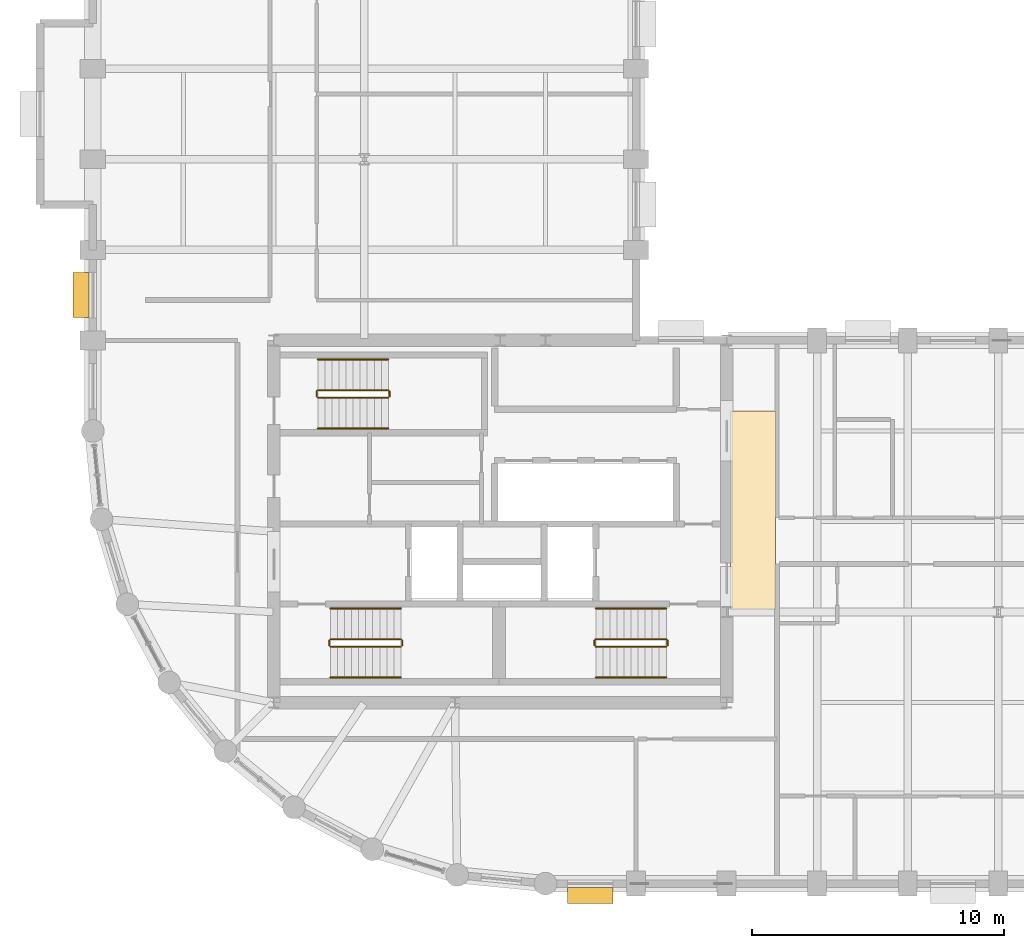
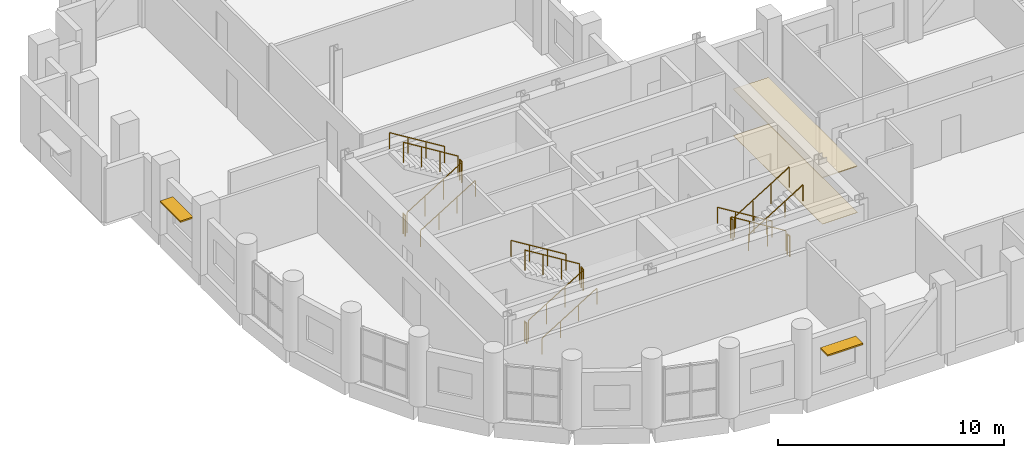
# One storey, part 13 of 14: 18 railings, 2 coverings, 2 shading devices.
"""IFC4 building model written with IfcOpenShell, lengths in metres."""

from ifc_helpers import new_model, si_unit, direction, frame, origin, origin_2d, place, context, subcontext, project, spatial, polyline, rectangle, circle, outline, extrude, material, layer, layer_set, type_object, element, save


model = new_model("IFC4")

# Units and contexts
model_context = context("Model", 3, precision=1e-05, world=origin(), true_north=direction((0.0, 1.0)))
body_context = subcontext(model_context, "Body", "Model", "MODEL_VIEW")
ifc_project = project(units=[si_unit("LENGTHUNIT", "METRE"), si_unit("AREAUNIT", "SQUARE_METRE"), si_unit("VOLUMEUNIT", "CUBIC_METRE"), si_unit("PLANEANGLEUNIT", "RADIAN"), si_unit("MASSUNIT", "GRAM", prefix="KILO")], contexts=[model_context])

# Site, building, storey
site_placement = place(None, origin())
site = spatial("IfcSite", under=ifc_project, at=site_placement, CompositionType="ELEMENT")
building_placement = place(site_placement, origin())
building = spatial("IfcBuilding", under=site, at=building_placement, Name="Solnavia Interchange Tower", CompositionType="ELEMENT")
storey_placement = place(building_placement, frame((0.0, 0.0, 158.0)))
storey = spatial("IfcBuildingStorey", under=building, at=storey_placement, Name="L39", CompositionType="ELEMENT", Elevation=158.0)

# Coverings
ifc_material_1 = material(Name="Perforated Mineral-Fibre & Gypsum Ceiling", Category="gypsum")
ifc_layer_1 = layer(ifc_material_1, 0.0400390625)
ifc_layer_set_1 = layer_set([ifc_layer_1], Name="Perforated Mineral-Fibre & Gypsum Ceiling")
covering_type_1 = type_object("IfcCoveringType", Name="Covering-Ceiling-Acoustic40", PredefinedType="CEILING", material=ifc_layer_set_1)
covering_1_placement = place(storey_placement, frame((0.0, 0.0, 2.5)))
element("IfcCovering", 1, at=covering_1_placement, inside=storey, type_object=covering_type_1, Name="CLG-L39-01 Circulation suspended acoustic ceiling", PredefinedType="CEILING", context=body_context, shape_type="SweptSolid", body=[
    extrude(outline(polyline([(32.550048828125, 14.5), (34.35009765625, 14.5), (34.35009765625, 22.39990234375), (32.550048828125, 22.39990234375), (32.550048828125, 14.5)])), origin(), (0.0, 0.0, 1.0), 0.0400390625),
])
ifc_material_2 = material(Name="Engineered European Oak Flooring", Category="wood")
ifc_layer_2 = layer(ifc_material_2, 0.02001953125)
ifc_layer_set_2 = layer_set([ifc_layer_2], Name="Engineered European Oak Flooring")
covering_type_2 = type_object("IfcCoveringType", Name="Covering-Flooring-Timber20", PredefinedType="FLOORING", material=ifc_layer_set_2)
covering_2_placement = place(storey_placement, origin())
element("IfcCovering", 2, at=covering_2_placement, inside=storey, type_object=covering_type_2, Name="FLR-L39-01 Circulation floor finish", PredefinedType="FLOORING", context=body_context, shape_type="SweptSolid", body=[
    extrude(outline(polyline([(32.550048828125, 14.5), (34.35009765625, 14.5), (34.35009765625, 22.39990234375), (32.550048828125, 22.39990234375), (32.550048828125, 14.5)])), origin(), (0.0, 0.0, 1.0), 0.02001953125),
])

# Railings
ifc_material_3 = material(Name="Painted Steel Balustrade", Category="steel")
railing_type_1 = type_object("IfcRailingType", Name="Railing-StairGuard-1100", PredefinedType="GUARDRAIL", material=ifc_material_3)
railing_1_placement = place(storey_placement, frame((16.64990234375, 13.02001953125, 0.172607421875)))
element("IfcRailing", 3, at=railing_1_placement, inside=storey, type_object=railing_type_1, Name="L39 ST-1 stair guard 1", PredefinedType="GUARDRAIL", context=body_context, shape_type="SweptSolid", body=[
    extrude(circle(Radius=0.02392578125, at=origin_2d()), frame((0.0, 0.0, 1.09619140625), z_axis=(0.851089632645, 0.0, 0.525020415988), x_axis=(0.0, 1.0, 0.0)), (0.0, 0.0, 1.0), 3.2900390625),
    extrude(circle(Radius=0.02099609375, at=origin_2d()), origin(), (0.0, 0.0, 1.0), 1.072021484375),
    extrude(circle(Radius=0.02099609375, at=origin_2d()), frame((0.933349609375, 0.0, 0.57568359375)), (0.0, 0.0, 1.0), 1.072021484375),
    extrude(circle(Radius=0.02099609375, at=origin_2d()), frame((1.86669921875, 0.0, 1.151611328125)), (0.0, 0.0, 1.0), 1.072021484375),
    extrude(circle(Radius=0.02099609375, at=origin_2d()), frame((2.800048828125, 0.0, 1.727294921875)), (0.0, 0.0, 1.0), 1.072021484375),
])
railing_2_placement = place(storey_placement, frame((19.5, 13.070068359375, 1.89990234375)))
element("IfcRailing", 4, at=railing_2_placement, inside=storey, type_object=railing_type_1, Name="L39 ST-1 stair guard 2", PredefinedType="GUARDRAIL", context=body_context, shape_type="SweptSolid", body=[
    extrude(circle(Radius=0.02392578125, at=origin_2d()), frame((0.0, 0.0, 1.09619140625), z_axis=(0.0, 1.0, 0.0), x_axis=(-1.0, 0.0, 0.0)), (0.0, 0.0, 1.0), 0.199951171875),
    extrude(circle(Radius=0.02099609375, at=origin_2d()), origin(), (0.0, 0.0, 1.0), 1.072021484375),
    extrude(circle(Radius=0.02099609375, at=origin_2d()), frame((0.0, 0.199951171875, 0.0)), (0.0, 0.0, 1.0), 1.072021484375),
])
railing_3_placement = place(storey_placement, frame((19.449951171875, 13.320068359375, 2.07275390625)))
element("IfcRailing", 5, at=railing_3_placement, inside=storey, type_object=railing_type_1, Name="L39 ST-1 stair guard 3", PredefinedType="GUARDRAIL", context=body_context, shape_type="SweptSolid", body=[
    extrude(circle(Radius=0.02392578125, at=origin_2d()), frame((0.0, 0.0, 1.09619140625), z_axis=(-0.851089632645, 0.0, 0.525020415988), x_axis=(0.0, -1.0, 0.0)), (0.0, 0.0, 1.0), 3.2900390625),
    extrude(circle(Radius=0.02099609375, at=origin_2d()), origin(), (0.0, 0.0, 1.0), 1.072021484375),
    extrude(circle(Radius=0.02099609375, at=origin_2d()), frame((-0.933349609375, 0.0, 0.57568359375)), (0.0, 0.0, 1.0), 1.072021484375),
    extrude(circle(Radius=0.02099609375, at=origin_2d()), frame((-1.86669921875, 0.0, 1.151611328125)), (0.0, 0.0, 1.0), 1.072021484375),
    extrude(circle(Radius=0.02099609375, at=origin_2d()), frame((-2.800048828125, 0.0, 1.727294921875)), (0.0, 0.0, 1.0), 1.072021484375),
])
railing_4_placement = place(storey_placement, frame((16.60009765625, 13.070068359375, 0.0)))
element("IfcRailing", 6, at=railing_4_placement, inside=storey, type_object=railing_type_1, Name="L39 ST-1 stair guard 4", PredefinedType="GUARDRAIL", context=body_context, shape_type="SweptSolid", body=[
    extrude(circle(Radius=0.02392578125, at=origin_2d()), frame((0.0, 0.0, 1.09619140625), z_axis=(0.0, 1.0, 0.0), x_axis=(-1.0, 0.0, 0.0)), (0.0, 0.0, 1.0), 0.199951171875),
    extrude(circle(Radius=0.02099609375, at=origin_2d()), origin(), (0.0, 0.0, 1.0), 1.072021484375),
    extrude(circle(Radius=0.02099609375, at=origin_2d()), frame((0.0, 0.199951171875, 0.0)), (0.0, 0.0, 1.0), 1.072021484375),
])
railing_5_placement = place(storey_placement, frame((30.0, 13.320068359375, 0.172607421875)))
element("IfcRailing", 7, at=railing_5_placement, inside=storey, type_object=railing_type_1, Name="L39 ST-2 stair guard 1", PredefinedType="GUARDRAIL", context=body_context, shape_type="SweptSolid", body=[
    extrude(circle(Radius=0.02392578125, at=origin_2d()), frame((0.0, 0.0, 1.09619140625), z_axis=(-0.851089632645, 0.0, 0.525020415988), x_axis=(0.0, -1.0, 0.0)), (0.0, 0.0, 1.0), 3.2900390625),
    extrude(circle(Radius=0.02099609375, at=origin_2d()), origin(), (0.0, 0.0, 1.0), 1.072021484375),
    extrude(circle(Radius=0.02099609375, at=origin_2d()), frame((-0.933349609375, 0.0, 0.57568359375)), (0.0, 0.0, 1.0), 1.072021484375),
    extrude(circle(Radius=0.02099609375, at=origin_2d()), frame((-1.86669921875, 0.0, 1.151611328125)), (0.0, 0.0, 1.0), 1.072021484375),
    extrude(circle(Radius=0.02099609375, at=origin_2d()), frame((-2.800048828125, 0.0, 1.727294921875)), (0.0, 0.0, 1.0), 1.072021484375),
])
railing_6_placement = place(storey_placement, frame((27.14990234375, 13.27001953125, 1.89990234375)))
element("IfcRailing", 8, at=railing_6_placement, inside=storey, type_object=railing_type_1, Name="L39 ST-2 stair guard 2", PredefinedType="GUARDRAIL", context=body_context, shape_type="SweptSolid", body=[
    extrude(circle(Radius=0.02392578125, at=origin_2d()), frame((0.0, 0.0, 1.09619140625), z_axis=(0.0, -1.0, 0.0), x_axis=(1.0, 0.0, 0.0)), (0.0, 0.0, 1.0), 0.199951171875),
    extrude(circle(Radius=0.02099609375, at=origin_2d()), origin(), (0.0, 0.0, 1.0), 1.072021484375),
    extrude(circle(Radius=0.02099609375, at=origin_2d()), frame((0.0, -0.199951171875, 0.0)), (0.0, 0.0, 1.0), 1.072021484375),
])
railing_7_placement = place(storey_placement, frame((27.199951171875, 13.02001953125, 2.07275390625)))
element("IfcRailing", 9, at=railing_7_placement, inside=storey, type_object=railing_type_1, Name="L39 ST-2 stair guard 3", PredefinedType="GUARDRAIL", context=body_context, shape_type="SweptSolid", body=[
    extrude(circle(Radius=0.02392578125, at=origin_2d()), frame((0.0, 0.0, 1.09619140625), z_axis=(0.851089632645, 0.0, 0.525020415988), x_axis=(0.0, 1.0, 0.0)), (0.0, 0.0, 1.0), 3.2900390625),
    extrude(circle(Radius=0.02099609375, at=origin_2d()), origin(), (0.0, 0.0, 1.0), 1.072021484375),
    extrude(circle(Radius=0.02099609375, at=origin_2d()), frame((0.933349609375, 0.0, 0.57568359375)), (0.0, 0.0, 1.0), 1.072021484375),
    extrude(circle(Radius=0.02099609375, at=origin_2d()), frame((1.86669921875, 0.0, 1.151611328125)), (0.0, 0.0, 1.0), 1.072021484375),
    extrude(circle(Radius=0.02099609375, at=origin_2d()), frame((2.800048828125, 0.0, 1.727294921875)), (0.0, 0.0, 1.0), 1.072021484375),
])
railing_8_placement = place(storey_placement, frame((30.050048828125, 13.27001953125, 0.0)))
element("IfcRailing", 10, at=railing_8_placement, inside=storey, type_object=railing_type_1, Name="L39 ST-2 stair guard 4", PredefinedType="GUARDRAIL", context=body_context, shape_type="SweptSolid", body=[
    extrude(circle(Radius=0.02392578125, at=origin_2d()), frame((0.0, 0.0, 1.09619140625), z_axis=(0.0, -1.0, 0.0), x_axis=(1.0, 0.0, 0.0)), (0.0, 0.0, 1.0), 0.199951171875),
    extrude(circle(Radius=0.02099609375, at=origin_2d()), origin(), (0.0, 0.0, 1.0), 1.072021484375),
    extrude(circle(Radius=0.02099609375, at=origin_2d()), frame((0.0, -0.199951171875, 0.0)), (0.0, 0.0, 1.0), 1.072021484375),
])
railing_9_placement = place(storey_placement, frame((16.14990234375, 22.919921875, 0.172607421875)))
element("IfcRailing", 11, at=railing_9_placement, inside=storey, type_object=railing_type_1, Name="L39 ST-3 stair guard 1", PredefinedType="GUARDRAIL", context=body_context, shape_type="SweptSolid", body=[
    extrude(circle(Radius=0.02392578125, at=origin_2d()), frame((0.0, 0.0, 1.09619140625), z_axis=(0.851089632645, 0.0, 0.525020415988), x_axis=(0.0, 1.0, 0.0)), (0.0, 0.0, 1.0), 3.2900390625),
    extrude(circle(Radius=0.02099609375, at=origin_2d()), origin(), (0.0, 0.0, 1.0), 1.072021484375),
    extrude(circle(Radius=0.02099609375, at=origin_2d()), frame((0.933349609375, 0.0, 0.57568359375)), (0.0, 0.0, 1.0), 1.072021484375),
    extrude(circle(Radius=0.02099609375, at=origin_2d()), frame((1.86669921875, 0.0, 1.151611328125)), (0.0, 0.0, 1.0), 1.072021484375),
    extrude(circle(Radius=0.02099609375, at=origin_2d()), frame((2.800048828125, 0.0, 1.727294921875)), (0.0, 0.0, 1.0), 1.072021484375),
])
railing_10_placement = place(storey_placement, frame((19.0, 22.969970703125, 1.89990234375)))
element("IfcRailing", 12, at=railing_10_placement, inside=storey, type_object=railing_type_1, Name="L39 ST-3 stair guard 2", PredefinedType="GUARDRAIL", context=body_context, shape_type="SweptSolid", body=[
    extrude(circle(Radius=0.02392578125, at=origin_2d()), frame((0.0, 0.0, 1.09619140625), z_axis=(0.0, 1.0, 0.0), x_axis=(-1.0, 0.0, 0.0)), (0.0, 0.0, 1.0), 0.199951171875),
    extrude(circle(Radius=0.02099609375, at=origin_2d()), origin(), (0.0, 0.0, 1.0), 1.072021484375),
    extrude(circle(Radius=0.02099609375, at=origin_2d()), frame((0.0, 0.199951171875, 0.0)), (0.0, 0.0, 1.0), 1.072021484375),
])
railing_11_placement = place(storey_placement, frame((18.949951171875, 23.219970703125, 2.07275390625)))
element("IfcRailing", 13, at=railing_11_placement, inside=storey, type_object=railing_type_1, Name="L39 ST-3 stair guard 3", PredefinedType="GUARDRAIL", context=body_context, shape_type="SweptSolid", body=[
    extrude(circle(Radius=0.02392578125, at=origin_2d()), frame((0.0, 0.0, 1.09619140625), z_axis=(-0.851089632645, 0.0, 0.525020415988), x_axis=(0.0, -1.0, 0.0)), (0.0, 0.0, 1.0), 3.2900390625),
    extrude(circle(Radius=0.02099609375, at=origin_2d()), origin(), (0.0, 0.0, 1.0), 1.072021484375),
    extrude(circle(Radius=0.02099609375, at=origin_2d()), frame((-0.933349609375, 0.0, 0.57568359375)), (0.0, 0.0, 1.0), 1.072021484375),
    extrude(circle(Radius=0.02099609375, at=origin_2d()), frame((-1.86669921875, 0.0, 1.151611328125)), (0.0, 0.0, 1.0), 1.072021484375),
    extrude(circle(Radius=0.02099609375, at=origin_2d()), frame((-2.800048828125, 0.0, 1.727294921875)), (0.0, 0.0, 1.0), 1.072021484375),
])
railing_12_placement = place(storey_placement, frame((16.10009765625, 22.969970703125, 0.0)))
element("IfcRailing", 14, at=railing_12_placement, inside=storey, type_object=railing_type_1, Name="L39 ST-3 stair guard 4", PredefinedType="GUARDRAIL", context=body_context, shape_type="SweptSolid", body=[
    extrude(circle(Radius=0.02392578125, at=origin_2d()), frame((0.0, 0.0, 1.09619140625), z_axis=(0.0, 1.0, 0.0), x_axis=(-1.0, 0.0, 0.0)), (0.0, 0.0, 1.0), 0.199951171875),
    extrude(circle(Radius=0.02099609375, at=origin_2d()), origin(), (0.0, 0.0, 1.0), 1.072021484375),
    extrude(circle(Radius=0.02099609375, at=origin_2d()), frame((0.0, 0.199951171875, 0.0)), (0.0, 0.0, 1.0), 1.072021484375),
])
ifc_material_4 = material(Name="Brushed Stainless Steel", Category="steel")
railing_type_2 = type_object("IfcRailingType", Name="Railing-StairHandrail-900", PredefinedType="HANDRAIL", material=ifc_material_4)
railing_13_placement = place(storey_placement, frame((16.64990234375, 11.800048828125, 0.172607421875)))
element("IfcRailing", 15, at=railing_13_placement, inside=storey, type_object=railing_type_2, Name="L39 ST-1 stair handrail 1", PredefinedType="HANDRAIL", context=body_context, shape_type="SweptSolid", body=[
    extrude(circle(Radius=0.02392578125, at=origin_2d()), frame((0.0, 0.0, 0.8759765625), z_axis=(0.851089632645, 0.0, 0.525020415988), x_axis=(0.0, 1.0, 0.0)), (0.0, 0.0, 1.0), 3.2900390625),
    extrude(circle(Radius=0.02099609375, at=origin_2d()), origin(), (0.0, 0.0, 1.0), 0.851806640625),
    extrude(circle(Radius=0.02099609375, at=origin_2d()), frame((0.933349609375, 0.0, 0.57568359375)), (0.0, 0.0, 1.0), 0.851806640625),
    extrude(circle(Radius=0.02099609375, at=origin_2d()), frame((1.86669921875, 0.0, 1.151611328125)), (0.0, 0.0, 1.0), 0.851806640625),
    extrude(circle(Radius=0.02099609375, at=origin_2d()), frame((2.800048828125, 0.0, 1.727294921875)), (0.0, 0.0, 1.0), 0.851806640625),
])
for number, where, name in (
    (16, (19.449951171875, 14.5400390625, 2.07275390625), "L39 ST-1 stair handrail 2"),
    (17, (30.0, 14.5400390625, 0.172607421875), "L39 ST-2 stair handrail 1"),
):
    element("IfcRailing", number, at=place(storey_placement, frame(where)), inside=storey, type_object=railing_type_2, Name=name, PredefinedType="HANDRAIL", context=body_context, shape_type="SweptSolid", body=[
        extrude(circle(Radius=0.02392578125, at=origin_2d()), frame((0.0, 0.0, 0.8759765625), z_axis=(-0.851089632645, 0.0, 0.525020415988), x_axis=(0.0, -1.0, 0.0)), (0.0, 0.0, 1.0), 3.2900390625),
        extrude(circle(Radius=0.02099609375, at=origin_2d()), origin(), (0.0, 0.0, 1.0), 0.851806640625),
        extrude(circle(Radius=0.02099609375, at=origin_2d()), frame((-0.933349609375, 0.0, 0.57568359375)), (0.0, 0.0, 1.0), 0.851806640625),
        extrude(circle(Radius=0.02099609375, at=origin_2d()), frame((-1.86669921875, 0.0, 1.151611328125)), (0.0, 0.0, 1.0), 0.851806640625),
        extrude(circle(Radius=0.02099609375, at=origin_2d()), frame((-2.800048828125, 0.0, 1.727294921875)), (0.0, 0.0, 1.0), 0.851806640625),
    ])
for number, where, name in (
    (18, (27.199951171875, 11.800048828125, 2.07275390625), "L39 ST-2 stair handrail 2"),
    (19, (16.14990234375, 21.699951171875, 0.172607421875), "L39 ST-3 stair handrail 1"),
):
    element("IfcRailing", number, at=place(storey_placement, frame(where)), inside=storey, type_object=railing_type_2, Name=name, PredefinedType="HANDRAIL", context=body_context, shape_type="SweptSolid", body=[
        extrude(circle(Radius=0.02392578125, at=origin_2d()), frame((0.0, 0.0, 0.8759765625), z_axis=(0.851089632645, 0.0, 0.525020415988), x_axis=(0.0, 1.0, 0.0)), (0.0, 0.0, 1.0), 3.2900390625),
        extrude(circle(Radius=0.02099609375, at=origin_2d()), origin(), (0.0, 0.0, 1.0), 0.851806640625),
        extrude(circle(Radius=0.02099609375, at=origin_2d()), frame((0.933349609375, 0.0, 0.57568359375)), (0.0, 0.0, 1.0), 0.851806640625),
        extrude(circle(Radius=0.02099609375, at=origin_2d()), frame((1.86669921875, 0.0, 1.151611328125)), (0.0, 0.0, 1.0), 0.851806640625),
        extrude(circle(Radius=0.02099609375, at=origin_2d()), frame((2.800048828125, 0.0, 1.727294921875)), (0.0, 0.0, 1.0), 0.851806640625),
    ])
railing_14_placement = place(storey_placement, frame((18.949951171875, 24.43994140625, 2.07275390625)))
element("IfcRailing", 20, at=railing_14_placement, inside=storey, type_object=railing_type_2, Name="L39 ST-3 stair handrail 2", PredefinedType="HANDRAIL", context=body_context, shape_type="SweptSolid", body=[
    extrude(circle(Radius=0.02392578125, at=origin_2d()), frame((0.0, 0.0, 0.8759765625), z_axis=(-0.851089632645, 0.0, 0.525020415988), x_axis=(0.0, -1.0, 0.0)), (0.0, 0.0, 1.0), 3.2900390625),
    extrude(circle(Radius=0.02099609375, at=origin_2d()), origin(), (0.0, 0.0, 1.0), 0.851806640625),
    extrude(circle(Radius=0.02099609375, at=origin_2d()), frame((-0.933349609375, 0.0, 0.57568359375)), (0.0, 0.0, 1.0), 0.851806640625),
    extrude(circle(Radius=0.02099609375, at=origin_2d()), frame((-1.86669921875, 0.0, 1.151611328125)), (0.0, 0.0, 1.0), 0.851806640625),
    extrude(circle(Radius=0.02099609375, at=origin_2d()), frame((-2.800048828125, 0.0, 1.727294921875)), (0.0, 0.0, 1.0), 0.851806640625),
])

# Shading devices
ifc_material_5 = material(Name="Anodised Aluminium Sunshade", Category="aluminium")
ifc_layer_3 = layer(ifc_material_5, 0.080078125)
ifc_layer_set_3 = layer_set([ifc_layer_3], Name="Anodised Aluminium Sunshade")
shading_device_type = type_object("IfcShadingDeviceType", Name="Sunshade-Band-650", PredefinedType="SHUTTER", material=ifc_layer_set_3)
for number, where, z_axis, x_axis, name in (
    (21, (26.97509765625, 3.1298828125, 2.219970703125), (0.0, 0.0, 1.0), (-1.0, 0.0, 0.0), "SHD-L39-01 Horizontal sunshade band"),
    (22, (6.72998046875, 27.0, 2.219970703125), (0.0, 0.0, 1.0), (0.0, 1.0, 0.0), "SHD-L39-49 Horizontal sunshade band"),
):
    element("IfcShadingDevice", number, at=place(storey_placement, frame(where, z_axis=z_axis, x_axis=x_axis)), inside=storey, type_object=shading_device_type, Name=name, PredefinedType="SHUTTER", context=body_context, shape_type="SweptSolid", body=[
        extrude(rectangle(XDim=1.800048828125, YDim=0.64990234375, at=origin_2d()), origin(), (0.0, 0.0, 1.0), 0.080078125),
    ])

save(model, "model.ifc")
